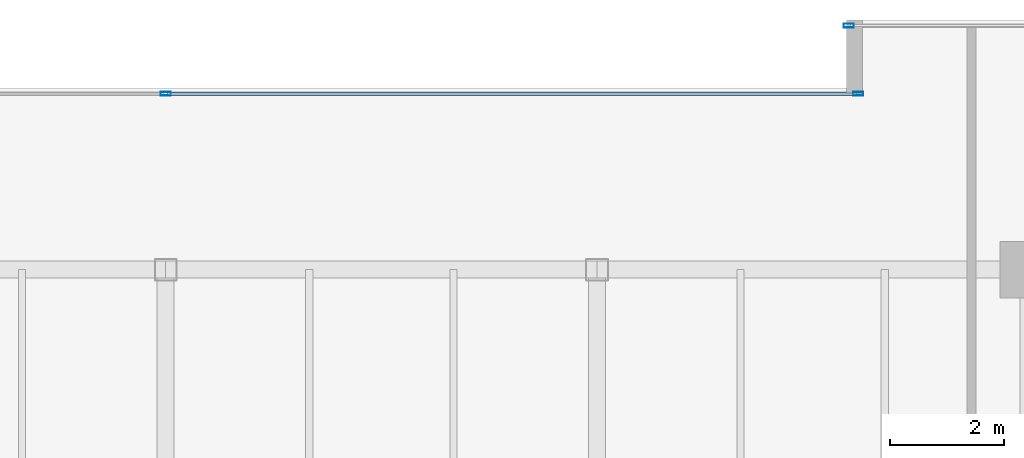
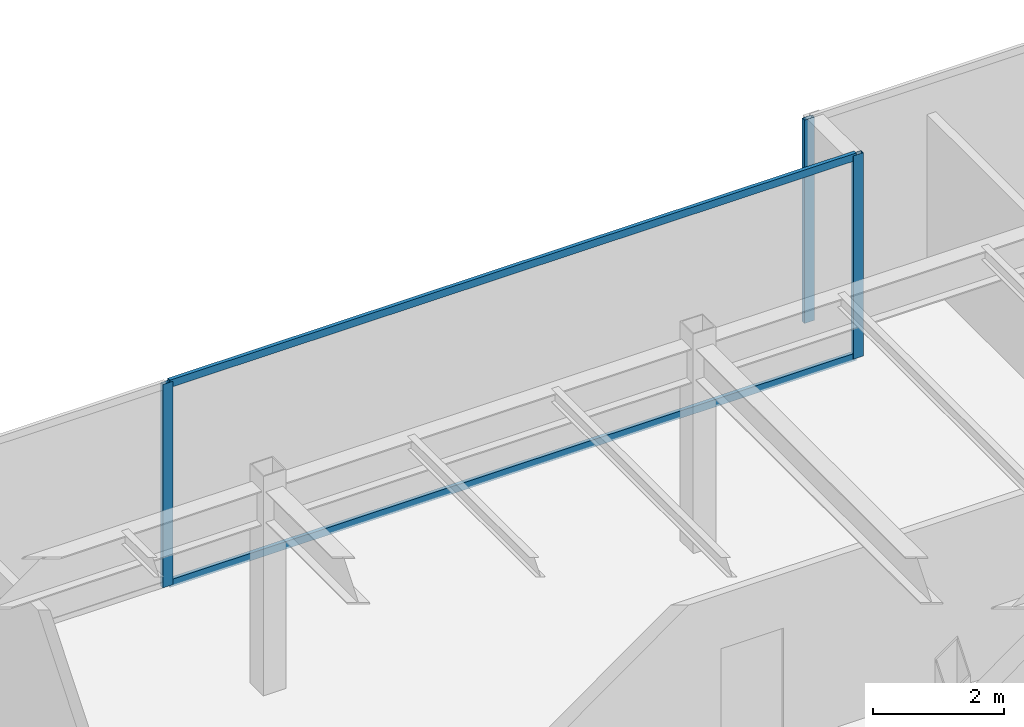
# One storey, part 19 of 33: 5 members, 2 elements without a shape of their own.
"""IFC4 building model written with IfcOpenShell, lengths in metres."""

from ifc_helpers import new_model, si_unit, direction, frame, origin, origin_2d, place, context, subcontext, project, spatial, hollow_rectangle, extrude, source, transform, mapped, material, layer, layer_set, material_profile, profile_set, type_object, type_shapes, element, aggregate, save


model = new_model("IFC4")

# Units and contexts
model_context = context("Model", 3, precision=1e-05, world=origin(), true_north=direction((0.0, 1.0)))
body_context = subcontext(model_context, "Body", "Model", "MODEL_VIEW")
ifc_project = project(units=[si_unit("LENGTHUNIT", "METRE"), si_unit("AREAUNIT", "SQUARE_METRE"), si_unit("VOLUMEUNIT", "CUBIC_METRE"), si_unit("PLANEANGLEUNIT", "RADIAN"), si_unit("MASSUNIT", "GRAM", prefix="KILO")], contexts=[model_context])

# Site, building, storey
site_placement = place(None, origin())
site = spatial("IfcSite", under=ifc_project, at=site_placement, CompositionType="ELEMENT")
building_placement = place(site_placement, origin())
building = spatial("IfcBuilding", under=site, at=building_placement, Name="Haelvirn Gate Laboratories", CompositionType="ELEMENT")
storey_placement = place(building_placement, frame((0.0, 0.0, 250.60009765625)))
storey = spatial("IfcBuildingStorey", under=building, at=storey_placement, Name="L60", CompositionType="ELEMENT", Elevation=250.60009765625)

# Curtain wall, members
ifc_material_1 = material(Name="Anodised bronze unitised aluminium & triple low-E glass", Category="aluminium")
ifc_layer = layer(ifc_material_1, 0.176025390625, Name="CW-SYS-4")
ifc_layer_set = layer_set([ifc_layer], Name="Anodised bronze unitised aluminium & triple low-E glass")
curtain_wall_type = type_object("IfcCurtainWallType", Name="CW-SYS-4", PredefinedType="NOTDEFINED", material=ifc_layer_set)
curtain_wall_1_placement = place(storey_placement, origin())
curtain_wall_1 = element("IfcCurtainWall", 1, at=curtain_wall_1_placement, inside=storey, type_object=curtain_wall_type, Name="L60 Unitised Curtain Wall CW-L60-P0-E12-1", PredefinedType="NOTDEFINED")
ifc_material_2 = material(Name="Extruded aluminium 6063-T6 (anodised bronze)", Category="aluminium")
ifc_material_profile_1 = material_profile(ifc_material_2, hollow_rectangle(XDim=0.06494140625, YDim=0.139892578125, WallThickness=0.00390625, at=origin_2d()), Name="CWT-140x65x4")
ifc_profile_set_1 = profile_set([ifc_material_profile_1], Name="Extruded aluminium 6063-T6 (anodised bronze)")
member_type_1 = type_object("IfcMemberType", Name="CWT-T140", PredefinedType="USERDEFINED", material=ifc_profile_set_1)
shared_shape_1 = source(origin(), body_context, "Body", "SweptSolid", [
    extrude(hollow_rectangle(XDim=0.06494140625, YDim=0.139892578125, WallThickness=0.00390625, at=origin_2d()), origin(), (0.0, 0.0, 1.0), 12.135009765625),
])
type_shapes(member_type_1, [shared_shape_1])
member_1_placement = place(storey_placement, frame((37.43505859375, 44.699951171875, 0.032470703125), z_axis=(1.0, 0.0, 0.0), x_axis=(0.0, 1.0, 0.0)))
member_1 = element("IfcMember", 2, at=member_1_placement, type_object=member_type_1, Name="CW4 transom 2.1", ObjectType="TRANSOM", PredefinedType="USERDEFINED", context=body_context, shape_type="MappedRepresentation", body=[
    mapped(shared_shape_1, transform((0.0, 0.0, 0.0), scale=1.0)),
])
member_2_placement = place(storey_placement, frame((37.43505859375, 44.699951171875, 3.767333984375), z_axis=(1.0, 0.0, 0.0), x_axis=(0.0, 1.0, 0.0)))
member_2 = element("IfcMember", 3, at=member_2_placement, type_object=member_type_1, Name="CW4 transom 2.2", ObjectType="TRANSOM", PredefinedType="USERDEFINED", context=body_context, shape_type="MappedRepresentation", body=[
    mapped(shared_shape_1, transform((0.0, 0.0, 0.0), scale=1.0)),
])

# Curtain wall, member
curtain_wall_2_placement = place(storey_placement, origin())
curtain_wall_2 = element("IfcCurtainWall", 4, at=curtain_wall_2_placement, inside=storey, type_object=curtain_wall_type, Name="L60 Unitised Curtain Wall CW-L60-P0-E10-1", PredefinedType="NOTDEFINED")
ifc_material_profile_2 = material_profile(ifc_material_2, hollow_rectangle(XDim=0.070068359375, YDim=0.179931640625, WallThickness=0.0048828125, at=origin_2d()), Name="CWM-180x70x5")
ifc_profile_set_2 = profile_set([ifc_material_profile_2], Name="Extruded aluminium 6063-T6 (anodised bronze)")
member_type_2 = type_object("IfcMemberType", Name="CWM-T180", PredefinedType="MULLION", material=ifc_profile_set_2)
shared_shape_2 = source(origin(), body_context, "Body", "SweptSolid", [
    extrude(hollow_rectangle(XDim=0.070068359375, YDim=0.179931640625, WallThickness=0.0048828125, at=origin_2d()), origin(), (0.0, 0.0, 1.0), 3.7998046875),
])
type_shapes(member_type_2, [shared_shape_2])
member_3_placement = place(storey_placement, frame((49.43505859375, 45.89990234375, 0.0), z_axis=(0.0, 0.0, 1.0), x_axis=(0.0, 1.0, 0.0)))
member_3 = element("IfcMember", 5, at=member_3_placement, type_object=member_type_2, Name="CW4 mullion 1", PredefinedType="MULLION", context=body_context, shape_type="MappedRepresentation", body=[
    mapped(shared_shape_2, transform((0.0, 0.0, 0.0), scale=1.0)),
])
aggregate(curtain_wall_2, [member_3])

# Member
member_4_placement = place(storey_placement, frame((37.39990234375, 44.699951171875, 0.0), z_axis=(0.0, 0.0, 1.0), x_axis=(0.0, 1.0, 0.0)))
member_4 = element("IfcMember", 6, at=member_4_placement, type_object=member_type_2, Name="CW4 mullion 2", PredefinedType="MULLION", context=body_context, shape_type="MappedRepresentation", body=[
    mapped(shared_shape_2, transform((0.0, 0.0, 0.0), scale=1.0)),
])

member_5_placement = place(storey_placement, frame((49.60498046875, 44.699951171875, 0.0), z_axis=(0.0, 0.0, 1.0), x_axis=(0.0, 1.0, 0.0)))
member_5 = element("IfcMember", 7, at=member_5_placement, type_object=member_type_2, Name="CW4 mullion 3", PredefinedType="MULLION", context=body_context, shape_type="MappedRepresentation", body=[
    mapped(shared_shape_2, transform((0.0, 0.0, 0.0), scale=1.0)),
])

aggregate(curtain_wall_1, [member_4, member_5, member_1, member_2])

save(model, "model.ifc")
